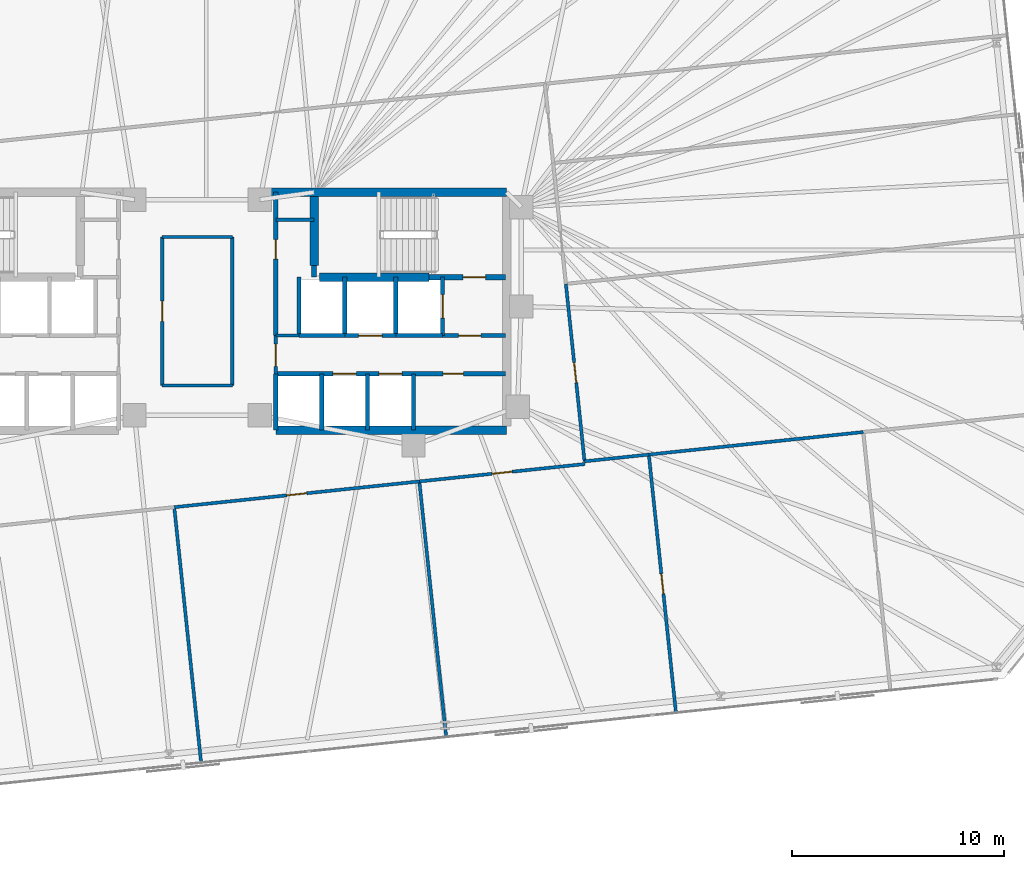
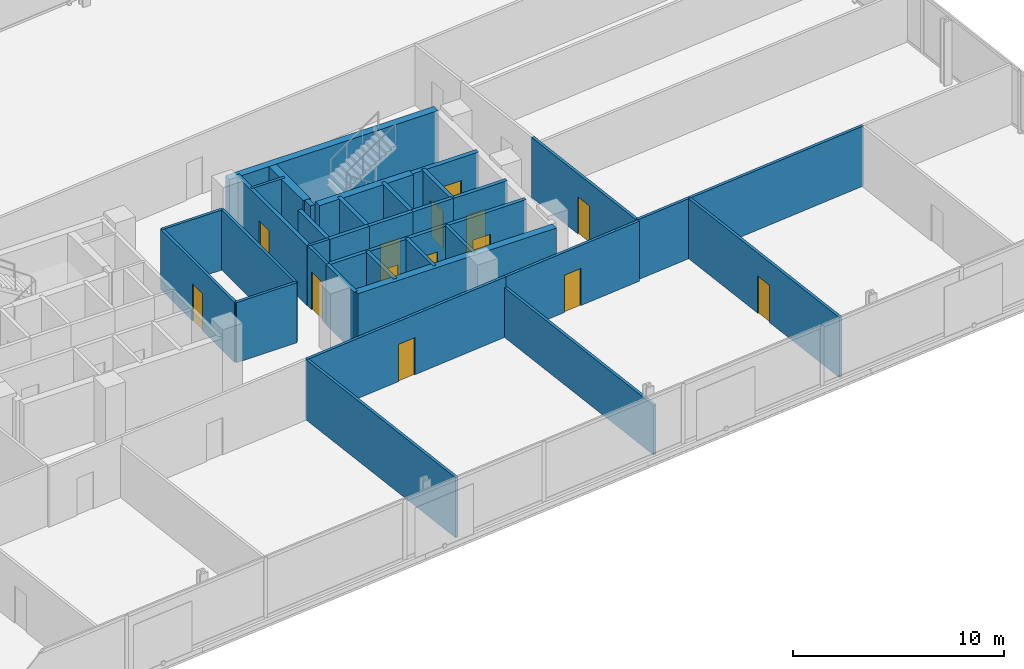
# One storey, part 15 of 18: 35 walls, 14 doors, 14 openings.
"""IFC4 building model written with IfcOpenShell, lengths in metres."""

from ifc_helpers import new_model, si_unit, direction, frame, frame_2d, origin, place, context, subcontext, project, spatial, rectangle, extrude, material, layer, layer_set, type_object, element, fill, save


model = new_model("IFC4")

# Units and contexts
model_context = context("Model", 3, precision=1e-05, world=origin(), true_north=direction((0.0, 1.0)))
body_context = subcontext(model_context, "Body", "Model", "MODEL_VIEW")
ifc_project = project(units=[si_unit("LENGTHUNIT", "METRE"), si_unit("AREAUNIT", "SQUARE_METRE"), si_unit("VOLUMEUNIT", "CUBIC_METRE"), si_unit("PLANEANGLEUNIT", "RADIAN"), si_unit("MASSUNIT", "GRAM", prefix="KILO")], contexts=[model_context])

# Site, building, storey
site_placement = place(None, origin())
site = spatial("IfcSite", under=ifc_project, at=site_placement, CompositionType="ELEMENT")
building_placement = place(site_placement, origin())
building = spatial("IfcBuilding", under=site, at=building_placement, Name="Menara Jurai Vektor", CompositionType="ELEMENT")
storey_placement = place(building_placement, frame((0.0, 0.0, 124.39990234375)))
storey = spatial("IfcBuildingStorey", under=building, at=storey_placement, Name="L31", CompositionType="ELEMENT", Elevation=124.39990234375)

# Wall, opening, door
ifc_material_1 = material(Name="Concrete C40/50", Category="concrete")
ifc_layer_1 = layer(ifc_material_1, 0.25)
ifc_layer_set_1 = layer_set([ifc_layer_1], Name="Concrete C40/50")
wall_type_1 = type_object("IfcWallType", Name="INT-WALL-CORE-250", PredefinedType="STANDARD", material=ifc_layer_set_1)
wall_1_placement = place(storey_placement, frame((10.89990234375, 1.60009765625, 0.0), z_axis=(0.0, 0.0, 1.0), x_axis=(1.0, 0.0, 0.0)))
wall_1 = element("IfcWall", 1, at=wall_1_placement, inside=storey, type_object=wall_type_1, Name="Interior Wall IW-250 L31", PredefinedType="STANDARD", context=body_context, shape_type="SweptSolid", body=[
    extrude(rectangle(XDim=3.60009765625, YDim=0.25, at=frame_2d((1.800048828125, 0.0))), origin(), (0.0, 0.0, 1.0), 3.47509765625),
])
opening_1_placement = place(wall_1_placement, frame((1.6201171875, 0.0, 0.0)))
opening_1 = element("IfcOpeningElement", 2, at=opening_1_placement, cuts=wall_1, Name="Opening D-L31-ST2", PredefinedType="OPENING", context=body_context, shape_type="SweptSolid", body=[
    extrude(rectangle(XDim=1.050048828125, YDim=2.14990234375, at=frame_2d((0.52490234375, 1.074951171875))), frame((0.0, 0.135009765625, 0.0), z_axis=(0.0, -1.0, 0.0), x_axis=(1.0, 0.0, 0.0)), (0.0, 0.0, 1.0), 0.27001953125),
])
ifc_material_2 = material(Name="Fire-Rated Steel Door", Category="steel")
door_type_1 = type_object("IfcDoorType", Name="DR-STAIR-1050", OperationType="NOTDEFINED", PredefinedType="DOOR", material=ifc_material_2)
door_1_placement = place(opening_1_placement, origin())
door_1 = element("IfcDoor", 3, at=door_1_placement, inside=storey, type_object=door_type_1, Name="Exit Stair ST2 Door L31", OperationType="SINGLE_SWING_LEFT", OverallHeight=2.14990234375, OverallWidth=1.050048828125, PredefinedType="DOOR", context=body_context, shape_type="SweptSolid", body=[
    extrude(rectangle(XDim=1.050048828125, YDim=2.14990234375, at=frame_2d((0.52490234375, 1.074951171875))), frame((0.0, 0.02490234375, 0.0), z_axis=(0.0, -1.0, 0.0), x_axis=(1.0, 0.0, 0.0)), (0.0, 0.0, 1.0), 0.050048828125),
])
fill(opening_1, door_1)

# Wall
wall_2_placement = place(storey_placement, frame((5.5, 1.60009765625, 0.0), z_axis=(0.0, 0.0, 1.0), x_axis=(0.0, 1.0, 0.0)))
element("IfcWall", 4, at=wall_2_placement, inside=storey, type_object=wall_type_1, Name="Interior Wall IW-250 L31", PredefinedType="STANDARD", context=body_context, shape_type="SweptSolid", body=[
    extrude(rectangle(XDim=0.5498046875, YDim=0.25, at=frame_2d((0.27490234375, 0.0))), origin(), (0.0, 0.0, 1.0), 3.47509765625),
])

# Wall, opening, door
wall_3_placement = place(storey_placement, frame((11.550048828125, -1.14990234375, 0.0), z_axis=(0.0, 0.0, 1.0), x_axis=(0.0, 1.0, 0.0)))
wall_3 = element("IfcWall", 5, at=wall_3_placement, inside=storey, type_object=wall_type_1, Name="Interior Wall IW-250 L31", PredefinedType="STANDARD", context=body_context, shape_type="SweptSolid", body=[
    extrude(rectangle(XDim=2.75, YDim=0.199951171875, at=frame_2d((1.375, 0.0))), origin(), (0.0, 0.0, 1.0), 3.47509765625),
])
opening_2_placement = place(wall_3_placement, frame((0.824951171875, 0.0, 0.0)))
opening_2 = element("IfcOpeningElement", 6, at=opening_2_placement, cuts=wall_3, Name="Opening LD-L31-FL2", PredefinedType="OPENING", context=body_context, shape_type="SweptSolid", body=[
    extrude(rectangle(XDim=1.10009765625, YDim=2.14990234375, at=frame_2d((0.550048828125, 1.074951171875))), frame((0.0, 0.10986328125, 0.0), z_axis=(0.0, -1.0, 0.0), x_axis=(1.0, 0.0, 0.0)), (0.0, 0.0, 1.0), 0.219970703125),
])
ifc_material_3 = material(Name="Stainless Steel Sliding Lift Landing Door", Category="steel")
door_type_2 = type_object("IfcDoorType", Name="DR-LIFT-FIRE-1100", OperationType="NOTDEFINED", PredefinedType="DOOR", material=ifc_material_3)
door_2_placement = place(opening_2_placement, origin())
door_2 = element("IfcDoor", 7, at=door_2_placement, inside=storey, type_object=door_type_2, Name="Lift Landing Door FL2 L31", OperationType="SLIDING_TO_RIGHT", OverallHeight=2.14990234375, OverallWidth=1.10009765625, PredefinedType="DOOR", context=body_context, shape_type="SweptSolid", body=[
    extrude(rectangle(XDim=1.10009765625, YDim=2.14990234375, at=frame_2d((0.550048828125, 1.074951171875))), frame((0.0, 0.02490234375, 0.0), z_axis=(0.0, -1.0, 0.0), x_axis=(1.0, 0.0, 0.0)), (0.0, 0.0, 1.0), 0.050048828125),
])
fill(opening_2, door_2)

# Wall
wall_4_placement = place(storey_placement, frame((9.35009765625, -1.14990234375, 0.0), z_axis=(0.0, 0.0, 1.0), x_axis=(0.0, 1.0, 0.0)))
element("IfcWall", 8, at=wall_4_placement, inside=storey, type_object=wall_type_1, Name="Interior Wall IW-250 L31", PredefinedType="STANDARD", context=body_context, shape_type="SweptSolid", body=[
    extrude(rectangle(XDim=2.75, YDim=0.199951171875, at=frame_2d((1.375, 0.0))), origin(), (0.0, 0.0, 1.0), 3.47509765625),
])

# Wall, opening, door
wall_5_placement = place(storey_placement, frame((11.550048828125, -1.14990234375, 0.0), z_axis=(0.0, 0.0, 1.0), x_axis=(1.0, 0.0, 0.0)))
wall_5 = element("IfcWall", 9, at=wall_5_placement, inside=storey, type_object=wall_type_1, Name="Interior Wall IW-250 L31", PredefinedType="STANDARD", context=body_context, shape_type="SweptSolid", body=[
    extrude(rectangle(XDim=2.949951171875, YDim=0.199951171875, at=frame_2d((1.47509765625, 0.0))), origin(), (0.0, 0.0, 1.0), 3.47509765625),
])
opening_3_placement = place(wall_5_placement, frame((0.75, 0.0, 0.0)))
opening_3 = element("IfcOpeningElement", 10, at=opening_3_placement, cuts=wall_5, Name="Opening D-L31-FFE", PredefinedType="OPENING", context=body_context, shape_type="SweptSolid", body=[
    extrude(rectangle(XDim=1.050048828125, YDim=2.179931640625, at=frame_2d((0.52490234375, 1.08984375))), frame((0.0, 0.10986328125, 0.0), z_axis=(0.0, -1.0, 0.0), x_axis=(1.0, 0.0, 0.0)), (0.0, 0.0, 1.0), 0.219970703125),
])
ifc_material_4 = material(Name="Fire-Rated Timber Door", Category="wood")
door_type_3 = type_object("IfcDoorType", Name="DR-LOBBY-1050", OperationType="NOTDEFINED", PredefinedType="DOOR", material=ifc_material_4)
door_3_placement = place(opening_3_placement, origin())
door_3 = element("IfcDoor", 11, at=door_3_placement, inside=storey, type_object=door_type_3, Name="Fire Lift Lobby Door E L31", OperationType="SINGLE_SWING_LEFT", OverallHeight=2.179931640625, OverallWidth=1.050048828125, PredefinedType="DOOR", context=body_context, shape_type="SweptSolid", body=[
    extrude(rectangle(XDim=1.050048828125, YDim=2.179931640625, at=frame_2d((0.52490234375, 1.08984375))), frame((0.0, 0.02490234375, 0.0), z_axis=(0.0, -1.0, 0.0), x_axis=(1.0, 0.0, 0.0)), (0.0, 0.0, 1.0), 0.050048828125),
])
fill(opening_3, door_3)

# Wall
wall_6_placement = place(storey_placement, frame((9.35009765625, -1.14990234375, 0.0), z_axis=(0.0, 0.0, 1.0), x_axis=(1.0, 0.0, 0.0)))
element("IfcWall", 12, at=wall_6_placement, inside=storey, type_object=wall_type_1, Name="Interior Wall IW-250 L31", PredefinedType="STANDARD", context=body_context, shape_type="SweptSolid", body=[
    extrude(rectangle(XDim=2.199951171875, YDim=0.199951171875, at=frame_2d((1.10009765625, 0.0))), origin(), (0.0, 0.0, 1.0), 3.47509765625),
])

# Wall, opening, door
ifc_material_5 = material(Name="Gypsum Fireboard Partition", Category="gypsum")
ifc_layer_2 = layer(ifc_material_5, 0.14990234375)
ifc_layer_set_2 = layer_set([ifc_layer_2], Name="Gypsum Fireboard Partition")
wall_type_2 = type_object("IfcWallType", Name="INT-WALL-CORR-150", PredefinedType="PARTITIONING", material=ifc_layer_set_2)
wall_7_placement = place(storey_placement, frame((3.699951171875, -2.949951171875, 0.0), z_axis=(0.0, 0.0, 1.0), x_axis=(0.0, 1.0, 0.0)))
wall_7 = element("IfcWall", 13, at=wall_7_placement, inside=storey, type_object=wall_type_2, Name="Interior Wall IW-150 L31", PredefinedType="PARTITIONING", context=body_context, shape_type="SweptSolid", body=[
    extrude(rectangle(XDim=1.800048828125, YDim=0.14990234375, at=frame_2d((0.89990234375, 0.0))), origin(), (0.0, 0.0, 1.0), 3.47509765625),
])
opening_4_placement = place(wall_7_placement, frame((0.35009765625, 0.0, 0.0)))
opening_4 = element("IfcOpeningElement", 14, at=opening_4_placement, cuts=wall_7, Name="Opening D-L31-LLE", PredefinedType="OPENING", context=body_context, shape_type="SweptSolid", body=[
    extrude(rectangle(XDim=1.050048828125, YDim=2.179931640625, at=frame_2d((0.52490234375, 1.08984375))), frame((0.0, 0.0849609375, 0.0), z_axis=(0.0, -1.0, 0.0), x_axis=(1.0, 0.0, 0.0)), (0.0, 0.0, 1.0), 0.169921875),
])
door_4_placement = place(opening_4_placement, frame((1.050048828125, 0.0, 0.0), z_axis=(0.0, 0.0, 1.0), x_axis=(-1.0, 0.0, 0.0)))
door_4 = element("IfcDoor", 15, at=door_4_placement, inside=storey, type_object=door_type_3, Name="Lift Lobby Corridor Door E L31", OperationType="SINGLE_SWING_RIGHT", OverallHeight=2.179931640625, OverallWidth=1.050048828125, PredefinedType="DOOR", context=body_context, shape_type="SweptSolid", body=[
    extrude(rectangle(XDim=1.050048828125, YDim=2.179931640625, at=frame_2d((0.52490234375, 1.08984375))), frame((0.0, 0.02490234375, 0.0), z_axis=(0.0, -1.0, 0.0), x_axis=(1.0, 0.0, 0.0)), (0.0, 0.0, 1.0), 0.050048828125),
])
fill(opening_4, door_4)

# Walls
wall_8_placement = place(storey_placement, frame((3.699951171875, -1.14990234375, 0.0), z_axis=(0.0, 0.0, 1.0), x_axis=(1.0, 0.0, 0.0)))
element("IfcWall", 16, at=wall_8_placement, inside=storey, type_object=wall_type_2, Name="Interior Wall IW-150 L31", PredefinedType="PARTITIONING", context=body_context, shape_type="SweptSolid", body=[
    extrude(rectangle(XDim=1.090087890625, YDim=0.14990234375, at=frame_2d((0.544921875, 0.0))), origin(), (0.0, 0.0, 1.0), 3.47509765625),
])
wall_9_placement = place(storey_placement, frame((3.699951171875, 4.300048828125, 0.0), z_axis=(0.0, 0.0, 1.0), x_axis=(1.0, 0.0, 0.0)))
element("IfcWall", 17, at=wall_9_placement, inside=storey, type_object=wall_type_2, Name="Interior Wall IW-150 L31", PredefinedType="PARTITIONING", context=body_context, shape_type="SweptSolid", body=[
    extrude(rectangle(XDim=1.800048828125, YDim=0.14990234375, at=frame_2d((0.89990234375, 0.0))), origin(), (0.0, 0.0, 1.0), 3.47509765625),
])

# Wall, opening, door
wall_10_placement = place(storey_placement, frame((-1.649658203125, -3.490478515625, 0.0), z_axis=(0.0, 0.0, 1.0), x_axis=(-0.000104928124, 0.999999994495, 0.0)))
wall_10 = element("IfcWall", 18, at=wall_10_placement, inside=storey, type_object=wall_type_2, Name="Interior Wall IW-150 L31", PredefinedType="PARTITIONING", context=body_context, shape_type="SweptSolid", body=[
    extrude(rectangle(XDim=6.980224609375, YDim=0.14990234375, at=frame_2d((3.490234375, 0.0))), origin(), (0.0, 0.0, 1.0), 3.47509765625),
])
opening_5_placement = place(wall_10_placement, frame((3.01513671875, 0.0, 0.0)))
opening_5 = element("IfcOpeningElement", 19, at=opening_5_placement, cuts=wall_10, Name="Opening D31-06", PredefinedType="OPENING", context=body_context, shape_type="SweptSolid", body=[
    extrude(rectangle(XDim=0.949951171875, YDim=2.14990234375, at=frame_2d((0.47509765625, 1.074951171875))), frame((0.0, 0.0849609375, 0.0), z_axis=(0.0, -1.0, 0.0), x_axis=(1.0, 0.0, 0.0)), (0.0, 0.0, 1.0), 0.169921875),
])
ifc_material_6 = material(Name="Solid Core Timber Fire Door", Category="wood")
door_type_4 = type_object("IfcDoorType", Name="DR-ENTRY-950", OperationType="NOTDEFINED", PredefinedType="DOOR", material=ifc_material_6)
door_5_placement = place(opening_5_placement, origin())
door_5 = element("IfcDoor", 20, at=door_5_placement, inside=storey, type_object=door_type_4, Name="Interior Door D31-06", OperationType="SINGLE_SWING_LEFT", OverallHeight=2.14990234375, OverallWidth=0.949951171875, PredefinedType="DOOR", context=body_context, shape_type="SweptSolid", body=[
    extrude(rectangle(XDim=0.949951171875, YDim=2.14990234375, at=frame_2d((0.47509765625, 1.074951171875))), frame((0.0, 0.02490234375, 0.0), z_axis=(0.0, -1.0, 0.0), x_axis=(1.0, 0.0, 0.0)), (0.0, 0.0, 1.0), 0.050048828125),
])
fill(opening_5, door_5)

# Walls
wall_11_placement = place(storey_placement, frame((-1.649658203125, -3.490478515625, 0.0), z_axis=(0.0, 0.0, 1.0), x_axis=(1.0, 0.0, 0.0)))
element("IfcWall", 21, at=wall_11_placement, inside=storey, type_object=wall_type_2, Name="Interior Wall IW-150 L31", PredefinedType="PARTITIONING", context=body_context, shape_type="SweptSolid", body=[
    extrude(rectangle(XDim=3.300048828125, YDim=0.14990234375, at=frame_2d((1.64990234375, 0.0))), origin(), (0.0, 0.0, 1.0), 3.47509765625),
])
wall_12_placement = place(storey_placement, frame((-1.650390625, 3.48974609375, 0.0), z_axis=(0.0, 0.0, 1.0), x_axis=(1.0, 0.0, 0.0)))
element("IfcWall", 22, at=wall_12_placement, inside=storey, type_object=wall_type_2, Name="Interior Wall IW-150 L31", PredefinedType="PARTITIONING", context=body_context, shape_type="SweptSolid", body=[
    extrude(rectangle(XDim=3.30029296875, YDim=0.14990234375, at=frame_2d((1.650146484375, 0.0))), origin(), (0.0, 0.0, 1.0), 3.47509765625),
])
wall_13_placement = place(storey_placement, frame((1.650390625, -3.490478515625, 0.0), z_axis=(0.0, 0.0, 1.0), x_axis=(-6.9952083e-05, 0.999999997553, 0.0)))
element("IfcWall", 23, at=wall_13_placement, inside=storey, type_object=wall_type_2, Name="Interior Wall IW-150 L31", PredefinedType="PARTITIONING", context=body_context, shape_type="SweptSolid", body=[
    extrude(rectangle(XDim=6.980224609375, YDim=0.14990234375, at=frame_2d((3.490234375, 0.0))), origin(), (0.0, 0.0, 1.0), 3.47509765625),
])

# Wall, opening, door
wall_14_placement = place(storey_placement, frame((-1.0810546875, -9.226318359375, 0.0), z_axis=(0.0, 0.0, 1.0), x_axis=(0.994523198252, 0.104516066418, 0.0)))
wall_14 = element("IfcWall", 24, at=wall_14_placement, inside=storey, type_object=wall_type_2, Name="Interior Wall IW-150 L31", PredefinedType="PARTITIONING", context=body_context, shape_type="SweptSolid", body=[
    extrude(rectangle(XDim=11.60009765625, YDim=0.14990234375, at=frame_2d((5.800048828125, 0.0))), origin(), (0.0, 0.0, 1.0), 3.47509765625),
])
opening_6_placement = place(wall_14_placement, frame((5.324951171875, 0.0, 0.0)))
opening_6 = element("IfcOpeningElement", 25, at=opening_6_placement, cuts=wall_14, Name="Opening D31-11", PredefinedType="OPENING", context=body_context, shape_type="SweptSolid", body=[
    extrude(rectangle(XDim=0.949951171875, YDim=2.14990234375, at=frame_2d((0.47509765625, 1.074951171875))), frame((0.0, 0.0849609375, 0.0), z_axis=(0.0, -1.0, 0.0), x_axis=(1.0, 0.0, 0.0)), (0.0, 0.0, 1.0), 0.169921875),
])
door_6_placement = place(opening_6_placement, origin())
door_6 = element("IfcDoor", 26, at=door_6_placement, inside=storey, type_object=door_type_4, Name="Interior Door D31-11", OperationType="SINGLE_SWING_RIGHT", OverallHeight=2.14990234375, OverallWidth=0.949951171875, PredefinedType="DOOR", context=body_context, shape_type="SweptSolid", body=[
    extrude(rectangle(XDim=0.949951171875, YDim=2.14990234375, at=frame_2d((0.47509765625, 1.074951171875))), frame((0.0, 0.02490234375, 0.0), z_axis=(0.0, -1.0, 0.0), x_axis=(1.0, 0.0, 0.0)), (0.0, 0.0, 1.0), 0.050048828125),
])
fill(opening_6, door_6)

wall_15_placement = place(storey_placement, frame((10.45556640625, -8.013916015625, 0.0), z_axis=(0.0, 0.0, 1.0), x_axis=(0.994522690965, 0.104520893393, 0.0)))
wall_15 = element("IfcWall", 27, at=wall_15_placement, inside=storey, type_object=wall_type_2, Name="Interior Wall IW-150 L31", PredefinedType="PARTITIONING", context=body_context, shape_type="SweptSolid", body=[
    extrude(rectangle(XDim=7.83203125, YDim=0.14990234375, at=frame_2d((3.916015625, 0.0))), origin(), (0.0, 0.0, 1.0), 3.47509765625),
])
opening_7_placement = place(wall_15_placement, frame((3.44091796875, 0.0, 0.0)))
opening_7 = element("IfcOpeningElement", 28, at=opening_7_placement, cuts=wall_15, Name="Opening D31-12", PredefinedType="OPENING", context=body_context, shape_type="SweptSolid", body=[
    extrude(rectangle(XDim=0.949951171875, YDim=2.14990234375, at=frame_2d((0.47509765625, 1.074951171875))), frame((0.0, 0.0849609375, 0.0), z_axis=(0.0, -1.0, 0.0), x_axis=(1.0, 0.0, 0.0)), (0.0, 0.0, 1.0), 0.169921875),
])
door_7_placement = place(opening_7_placement, origin())
door_7 = element("IfcDoor", 29, at=door_7_placement, inside=storey, type_object=door_type_4, Name="Interior Door D31-12", OperationType="SINGLE_SWING_LEFT", OverallHeight=2.14990234375, OverallWidth=0.949951171875, PredefinedType="DOOR", context=body_context, shape_type="SweptSolid", body=[
    extrude(rectangle(XDim=0.949951171875, YDim=2.14990234375, at=frame_2d((0.47509765625, 1.074951171875))), frame((0.0, 0.02490234375, 0.0), z_axis=(0.0, -1.0, 0.0), x_axis=(1.0, 0.0, 0.0)), (0.0, 0.0, 1.0), 0.050048828125),
])
fill(opening_7, door_7)

wall_16_placement = place(storey_placement, frame((18.231201171875, -7.06787109375, 0.0), z_axis=(0.0, 0.0, 1.0), x_axis=(-0.104527419485, 0.994522005074, 0.0)))
wall_16 = element("IfcWall", 30, at=wall_16_placement, inside=storey, type_object=wall_type_2, Name="Interior Wall IW-150 L31", PredefinedType="PARTITIONING", context=body_context, shape_type="SweptSolid", body=[
    extrude(rectangle(XDim=8.39892578125, YDim=0.14990234375, at=frame_2d((4.199462890625, 0.0))), origin(), (0.0, 0.0, 1.0), 3.47509765625),
])
opening_8_placement = place(wall_16_placement, frame((3.724609375, 0.0, 0.0)))
opening_8 = element("IfcOpeningElement", 31, at=opening_8_placement, cuts=wall_16, Name="Opening D31-14", PredefinedType="OPENING", context=body_context, shape_type="SweptSolid", body=[
    extrude(rectangle(XDim=0.949951171875, YDim=2.14990234375, at=frame_2d((0.47509765625, 1.074951171875))), frame((0.0, 0.0849609375, 0.0), z_axis=(0.0, -1.0, 0.0), x_axis=(1.0, 0.0, 0.0)), (0.0, 0.0, 1.0), 0.169921875),
])
door_8_placement = place(opening_8_placement, origin())
door_8 = element("IfcDoor", 32, at=door_8_placement, inside=storey, type_object=door_type_4, Name="Interior Door D31-14", OperationType="SINGLE_SWING_LEFT", OverallHeight=2.14990234375, OverallWidth=0.949951171875, PredefinedType="DOOR", context=body_context, shape_type="SweptSolid", body=[
    extrude(rectangle(XDim=0.949951171875, YDim=2.14990234375, at=frame_2d((0.47509765625, 1.074951171875))), frame((0.0, 0.02490234375, 0.0), z_axis=(0.0, -1.0, 0.0), x_axis=(1.0, 0.0, 0.0)), (0.0, 0.0, 1.0), 0.050048828125),
])
fill(opening_8, door_8)

# Wall
wall_17_placement = place(storey_placement, frame((0.18310546875, -21.253173828125, 0.0), z_axis=(0.0, 0.0, 1.0), x_axis=(-0.104535555083, 0.994521149963, 0.0)))
element("IfcWall", 33, at=wall_17_placement, inside=storey, type_object=wall_type_2, Name="Interior Wall IW-150 L31", PredefinedType="PARTITIONING", context=body_context, shape_type="SweptSolid", body=[
    extrude(rectangle(XDim=12.093017578125, YDim=0.14990234375, at=frame_2d((6.04638671875, 0.0))), origin(), (0.0, 0.0, 1.0), 3.47509765625),
])

# Wall, opening, door
wall_18_placement = place(storey_placement, frame((22.534912109375, -18.90380859375, 0.0), z_axis=(0.0, 0.0, 1.0), x_axis=(-0.104520477826, 0.99452273464, 0.0)))
wall_18 = element("IfcWall", 34, at=wall_18_placement, inside=storey, type_object=wall_type_2, Name="Interior Wall IW-150 L31", PredefinedType="PARTITIONING", context=body_context, shape_type="SweptSolid", body=[
    extrude(rectangle(XDim=12.220947265625, YDim=0.14990234375, at=frame_2d((6.1103515625, 0.0))), origin(), (0.0, 0.0, 1.0), 3.47509765625),
])
opening_9_placement = place(wall_18_placement, frame((5.635498046875, 0.0, 0.0)))
opening_9 = element("IfcOpeningElement", 35, at=opening_9_placement, cuts=wall_18, Name="Opening D31-18", PredefinedType="OPENING", context=body_context, shape_type="SweptSolid", body=[
    extrude(rectangle(XDim=0.949951171875, YDim=2.14990234375, at=frame_2d((0.47509765625, 1.074951171875))), frame((0.0, 0.0849609375, 0.0), z_axis=(0.0, -1.0, 0.0), x_axis=(1.0, 0.0, 0.0)), (0.0, 0.0, 1.0), 0.169921875),
])
door_9_placement = place(opening_9_placement, origin())
door_9 = element("IfcDoor", 36, at=door_9_placement, inside=storey, type_object=door_type_4, Name="Interior Door D31-18", OperationType="SINGLE_SWING_LEFT", OverallHeight=2.14990234375, OverallWidth=0.949951171875, PredefinedType="DOOR", context=body_context, shape_type="SweptSolid", body=[
    extrude(rectangle(XDim=0.949951171875, YDim=2.14990234375, at=frame_2d((0.47509765625, 1.074951171875))), frame((0.0, 0.02490234375, 0.0), z_axis=(0.0, -1.0, 0.0), x_axis=(1.0, 0.0, 0.0)), (0.0, 0.0, 1.0), 0.050048828125),
])
fill(opening_9, door_9)

# Walls
wall_19_placement = place(storey_placement, frame((18.231201171875, -7.06787109375, 0.0), z_axis=(0.0, 0.0, 1.0), x_axis=(0.994520828596, 0.104538612428, 0.0)))
element("IfcWall", 37, at=wall_19_placement, inside=storey, type_object=wall_type_2, Name="Interior Wall IW-150 L31", PredefinedType="PARTITIONING", context=body_context, shape_type="SweptSolid", body=[
    extrude(rectangle(XDim=3.04296875, YDim=0.14990234375, at=frame_2d((1.521484375, 0.0))), origin(), (0.0, 0.0, 1.0), 3.47509765625),
])
wall_20_placement = place(storey_placement, frame((21.257568359375, -6.749755859375, 0.0), z_axis=(0.0, 0.0, 1.0), x_axis=(0.994520994424, 0.104537034822, 0.0)))
element("IfcWall", 38, at=wall_20_placement, inside=storey, type_object=wall_type_2, Name="Interior Wall IW-150 L31", PredefinedType="PARTITIONING", context=body_context, shape_type="SweptSolid", body=[
    extrude(rectangle(XDim=10.14990234375, YDim=0.14990234375, at=frame_2d((5.074951171875, 0.0))), origin(), (0.0, 0.0, 1.0), 3.47509765625),
])
ifc_layer_3 = layer(ifc_material_5, 0.14990234375)
ifc_layer_set_3 = layer_set([ifc_layer_3], Name="Gypsum Fireboard Partition")
wall_type_3 = type_object("IfcWallType", Name="INT-WALL-CORR-150-H2", PredefinedType="PARTITIONING", material=ifc_layer_set_3)
wall_21_placement = place(storey_placement, frame((11.719482421875, -20.04052734375, 0.0), z_axis=(0.0, 0.0, 1.0), x_axis=(-0.104517685722, 0.994523028075, 0.0)))
element("IfcWall", 39, at=wall_21_placement, inside=storey, type_object=wall_type_3, Name="Interior Wall IW-150 L31", PredefinedType="PARTITIONING", context=body_context, shape_type="SweptSolid", body=[
    extrude(rectangle(XDim=12.0927734375, YDim=0.14990234375, at=frame_2d((6.04638671875, 0.0))), origin(), (0.0, 0.0, 1.0), 2.875),
])

# Wall, opening, door
ifc_layer_4 = layer(ifc_material_1, 0.199951171875)
ifc_layer_set_4 = layer_set([ifc_layer_4], Name="Concrete C40/50")
wall_type_4 = type_object("IfcWallType", Name="INT-WALL-SHAFT-200", PredefinedType="STANDARD", material=ifc_layer_set_4)
wall_22_placement = place(storey_placement, frame((3.699951171875, -1.14990234375, 0.0), z_axis=(0.0, 0.0, 1.0), x_axis=(0.0, 1.0, 0.0)))
wall_22 = element("IfcWall", 40, at=wall_22_placement, inside=storey, type_object=wall_type_4, Name="Interior Wall IW-200 L31", PredefinedType="STANDARD", context=body_context, shape_type="SweptSolid", body=[
    extrude(rectangle(XDim=6.75, YDim=0.199951171875, at=frame_2d((3.375, 0.0))), origin(), (0.0, 0.0, 1.0), 3.47509765625),
])
opening_10_placement = place(wall_22_placement, frame((3.60009765625, 0.0, 0.0)))
opening_10 = element("IfcOpeningElement", 41, at=opening_10_placement, cuts=wall_22, Name="Opening D31-05", PredefinedType="OPENING", context=body_context, shape_type="SweptSolid", body=[
    extrude(rectangle(XDim=0.919921875, YDim=2.14990234375, at=frame_2d((0.4599609375, 1.074951171875))), frame((0.0, 0.10986328125, 0.0), z_axis=(0.0, -1.0, 0.0), x_axis=(1.0, 0.0, 0.0)), (0.0, 0.0, 1.0), 0.219970703125),
])
door_10_placement = place(opening_10_placement, origin())
door_10 = element("IfcDoor", 42, at=door_10_placement, inside=storey, type_object=door_type_4, Name="Interior Door D31-05", OperationType="SINGLE_SWING_RIGHT", OverallHeight=2.14990234375, OverallWidth=0.919921875, PredefinedType="DOOR", context=body_context, shape_type="SweptSolid", body=[
    extrude(rectangle(XDim=0.919921875, YDim=2.14990234375, at=frame_2d((0.4599609375, 1.074951171875))), frame((0.0, 0.02490234375, 0.0), z_axis=(0.0, -1.0, 0.0), x_axis=(1.0, 0.0, 0.0)), (0.0, 0.0, 1.0), 0.050048828125),
])
fill(opening_10, door_10)

# Walls
wall_23_placement = place(storey_placement, frame((3.699951171875, -5.60009765625, 0.0), z_axis=(0.0, 0.0, 1.0), x_axis=(0.0, 1.0, 0.0)))
element("IfcWall", 43, at=wall_23_placement, inside=storey, type_object=wall_type_4, Name="Interior Wall IW-200 L31", PredefinedType="STANDARD", context=body_context, shape_type="SweptSolid", body=[
    extrude(rectangle(XDim=2.650146484375, YDim=0.199951171875, at=frame_2d((1.3251953125, 0.0))), origin(), (0.0, 0.0, 1.0), 3.47509765625),
])
wall_24_placement = place(storey_placement, frame((6.949951171875, -1.14990234375, 0.0), z_axis=(0.0, 0.0, 1.0), x_axis=(0.0, 1.0, 0.0)))
element("IfcWall", 44, at=wall_24_placement, inside=storey, type_object=wall_type_4, Name="Interior Wall IW-200 L31", PredefinedType="STANDARD", context=body_context, shape_type="SweptSolid", body=[
    extrude(rectangle(XDim=2.75, YDim=0.199951171875, at=frame_2d((1.375, 0.0))), origin(), (0.0, 0.0, 1.0), 3.47509765625),
])

# Wall, opening, door
wall_25_placement = place(storey_placement, frame((6.949951171875, -1.14990234375, 0.0), z_axis=(0.0, 0.0, 1.0), x_axis=(1.0, 0.0, 0.0)))
wall_25 = element("IfcWall", 45, at=wall_25_placement, inside=storey, type_object=wall_type_4, Name="Interior Wall IW-200 L31", PredefinedType="STANDARD", context=body_context, shape_type="SweptSolid", body=[
    extrude(rectangle(XDim=2.400146484375, YDim=0.199951171875, at=frame_2d((1.2001953125, 0.0))), origin(), (0.0, 0.0, 1.0), 3.47509765625),
])
opening_11_placement = place(wall_25_placement, frame((0.64990234375, 0.0, 0.0)))
opening_11 = element("IfcOpeningElement", 46, at=opening_11_placement, cuts=wall_25, Name="Opening LD-L31-SVL2", PredefinedType="OPENING", context=body_context, shape_type="SweptSolid", body=[
    extrude(rectangle(XDim=1.10009765625, YDim=2.14990234375, at=frame_2d((0.550048828125, 1.074951171875))), frame((0.0, 0.10986328125, 0.0), z_axis=(0.0, -1.0, 0.0), x_axis=(1.0, 0.0, 0.0)), (0.0, 0.0, 1.0), 0.219970703125),
])
ifc_material_7 = material(Name="Anodised Stainless Sliding Lift Landing Door", Category="steel")
door_type_5 = type_object("IfcDoorType", Name="DR-LIFT-PASS-1100", OperationType="NOTDEFINED", PredefinedType="DOOR", material=ifc_material_7)
door_11_placement = place(opening_11_placement, origin())
door_11 = element("IfcDoor", 47, at=door_11_placement, inside=storey, type_object=door_type_5, Name="Lift Landing Door SVL2 L31", OperationType="SLIDING_TO_RIGHT", OverallHeight=2.14990234375, OverallWidth=1.10009765625, PredefinedType="DOOR", context=body_context, shape_type="SweptSolid", body=[
    extrude(rectangle(XDim=1.10009765625, YDim=2.14990234375, at=frame_2d((0.550048828125, 1.074951171875))), frame((0.0, 0.02490234375, 0.0), z_axis=(0.0, -1.0, 0.0), x_axis=(1.0, 0.0, 0.0)), (0.0, 0.0, 1.0), 0.050048828125),
])
fill(opening_11, door_11)

# Walls
wall_26_placement = place(storey_placement, frame((4.7900390625, -1.14990234375, 0.0), z_axis=(0.0, 0.0, 1.0), x_axis=(0.0, 1.0, 0.0)))
element("IfcWall", 48, at=wall_26_placement, inside=storey, type_object=wall_type_4, Name="Interior Wall IW-200 L31", PredefinedType="STANDARD", context=body_context, shape_type="SweptSolid", body=[
    extrude(rectangle(XDim=2.75, YDim=0.199951171875, at=frame_2d((1.375, 0.0))), origin(), (0.0, 0.0, 1.0), 3.47509765625),
])
wall_27_placement = place(storey_placement, frame((4.7900390625, -1.14990234375, 0.0), z_axis=(0.0, 0.0, 1.0), x_axis=(1.0, 0.0, 0.0)))
element("IfcWall", 49, at=wall_27_placement, inside=storey, type_object=wall_type_4, Name="Interior Wall IW-200 L31", PredefinedType="STANDARD", context=body_context, shape_type="SweptSolid", body=[
    extrude(rectangle(XDim=2.159912109375, YDim=0.199951171875, at=frame_2d((1.080078125, 0.0))), origin(), (0.0, 0.0, 1.0), 3.47509765625),
])

# Wall, openings, doors
wall_28_placement = place(storey_placement, frame((3.699951171875, -2.949951171875, 0.0), z_axis=(0.0, 0.0, 1.0), x_axis=(1.0, 0.0, 0.0)))
wall_28 = element("IfcWall", 50, at=wall_28_placement, inside=storey, type_object=wall_type_4, Name="Interior Wall IW-200 L31", PredefinedType="STANDARD", context=body_context, shape_type="SweptSolid", body=[
    extrude(rectangle(XDim=10.800048828125, YDim=0.199951171875, at=frame_2d((5.39990234375, 0.0))), origin(), (0.0, 0.0, 1.0), 3.47509765625),
])
opening_12_placement = place(wall_28_placement, frame((2.68994140625, 0.0, 0.0)))
opening_12 = element("IfcOpeningElement", 51, at=opening_12_placement, cuts=wall_28, Name="Opening LD-L31-PM3", PredefinedType="OPENING", context=body_context, shape_type="SweptSolid", body=[
    extrude(rectangle(XDim=1.10009765625, YDim=2.14990234375, at=frame_2d((0.550048828125, 1.074951171875))), frame((0.0, 0.10986328125, 0.0), z_axis=(0.0, -1.0, 0.0), x_axis=(1.0, 0.0, 0.0)), (0.0, 0.0, 1.0), 0.219970703125),
])
opening_13_placement = place(wall_28_placement, frame((4.85009765625, 0.0, 0.0)))
opening_13 = element("IfcOpeningElement", 52, at=opening_13_placement, cuts=wall_28, Name="Opening LD-L31-PM4", PredefinedType="OPENING", context=body_context, shape_type="SweptSolid", body=[
    extrude(rectangle(XDim=1.10009765625, YDim=2.14990234375, at=frame_2d((0.550048828125, 1.074951171875))), frame((0.0, 0.10986328125, 0.0), z_axis=(0.0, -1.0, 0.0), x_axis=(1.0, 0.0, 0.0)), (0.0, 0.0, 1.0), 0.219970703125),
])
opening_14_placement = place(wall_28_placement, frame((7.8798828125, 0.0, 0.0)))
opening_14 = element("IfcOpeningElement", 53, at=opening_14_placement, cuts=wall_28, Name="Opening D31-04", PredefinedType="OPENING", context=body_context, shape_type="SweptSolid", body=[
    extrude(rectangle(XDim=0.949951171875, YDim=2.14990234375, at=frame_2d((0.47509765625, 1.074951171875))), frame((0.0, 0.10986328125, 0.0), z_axis=(0.0, -1.0, 0.0), x_axis=(1.0, 0.0, 0.0)), (0.0, 0.0, 1.0), 0.219970703125),
])
door_12_placement = place(opening_14_placement, origin())
door_12 = element("IfcDoor", 54, at=door_12_placement, inside=storey, type_object=door_type_4, Name="Interior Door D31-04", OperationType="SINGLE_SWING_LEFT", OverallHeight=2.14990234375, OverallWidth=0.949951171875, PredefinedType="DOOR", context=body_context, shape_type="SweptSolid", body=[
    extrude(rectangle(XDim=0.949951171875, YDim=2.14990234375, at=frame_2d((0.47509765625, 1.074951171875))), frame((0.0, 0.02490234375, 0.0), z_axis=(0.0, -1.0, 0.0), x_axis=(1.0, 0.0, 0.0)), (0.0, 0.0, 1.0), 0.050048828125),
])
fill(opening_14, door_12)
door_13_placement = place(opening_12_placement, origin())
door_13 = element("IfcDoor", 55, at=door_13_placement, inside=storey, type_object=door_type_5, Name="Lift Landing Door PM3 L31", OperationType="SLIDING_TO_LEFT", OverallHeight=2.14990234375, OverallWidth=1.10009765625, PredefinedType="DOOR", context=body_context, shape_type="SweptSolid", body=[
    extrude(rectangle(XDim=1.10009765625, YDim=2.14990234375, at=frame_2d((0.550048828125, 1.074951171875))), frame((0.0, 0.02490234375, 0.0), z_axis=(0.0, -1.0, 0.0), x_axis=(1.0, 0.0, 0.0)), (0.0, 0.0, 1.0), 0.050048828125),
])
fill(opening_12, door_13)
door_14_placement = place(opening_13_placement, origin())
door_14 = element("IfcDoor", 56, at=door_14_placement, inside=storey, type_object=door_type_5, Name="Lift Landing Door PM4 L31", OperationType="SLIDING_TO_RIGHT", OverallHeight=2.14990234375, OverallWidth=1.10009765625, PredefinedType="DOOR", context=body_context, shape_type="SweptSolid", body=[
    extrude(rectangle(XDim=1.10009765625, YDim=2.14990234375, at=frame_2d((0.550048828125, 1.074951171875))), frame((0.0, 0.02490234375, 0.0), z_axis=(0.0, -1.0, 0.0), x_axis=(1.0, 0.0, 0.0)), (0.0, 0.0, 1.0), 0.050048828125),
])
fill(opening_13, door_14)

# Walls
wall_29_placement = place(storey_placement, frame((5.860107421875, -5.60009765625, 0.0), z_axis=(0.0, 0.0, 1.0), x_axis=(0.0, 1.0, 0.0)))
element("IfcWall", 57, at=wall_29_placement, inside=storey, type_object=wall_type_4, Name="Interior Wall IW-200 L31", PredefinedType="STANDARD", context=body_context, shape_type="SweptSolid", body=[
    extrude(rectangle(XDim=2.650146484375, YDim=0.199951171875, at=frame_2d((1.3251953125, 0.0))), origin(), (0.0, 0.0, 1.0), 3.47509765625),
])
for number, where, z_axis, x_axis, name in (
    (58, (10.179931640625, -5.60009765625, 0.0), (0.0, 0.0, 1.0), (0.0, 1.0, 0.0), "Interior Wall IW-200 L31"),
    (59, (8.02001953125, -5.60009765625, 0.0), (0.0, 0.0, 1.0), (0.0, 1.0, 0.0), "Interior Wall IW-200 L31"),
):
    element("IfcWall", number, at=place(storey_placement, frame(where, z_axis=z_axis, x_axis=x_axis)), inside=storey, type_object=wall_type_4, Name=name, PredefinedType="STANDARD", context=body_context, shape_type="SweptSolid", body=[
        extrude(rectangle(XDim=2.650146484375, YDim=0.179931640625, at=frame_2d((1.3251953125, 0.0))), origin(), (0.0, 0.0, 1.0), 3.47509765625),
    ])
ifc_material_8 = material(Name="Concrete C50/60", Category="concrete")
ifc_layer_5 = layer(ifc_material_8, 0.39990234375)
ifc_layer_set_5 = layer_set([ifc_layer_5], Name="Concrete C50/60")
wall_type_5 = type_object("IfcWallType", Name="STR-WALL-CORE400", PredefinedType="SHEAR", material=ifc_layer_set_5)
wall_30_placement = place(storey_placement, frame((3.14990234375, 5.60009765625, 0.0), z_axis=(0.0, 0.0, 1.0), x_axis=(1.0, 0.0, 0.0)))
element("IfcWall", 60, at=wall_30_placement, inside=storey, type_object=wall_type_5, Name="Core Shear Wall CW-E-N L31", PredefinedType="SHEAR", context=body_context, shape_type="SweptSolid", body=[
    extrude(rectangle(XDim=11.41015625, YDim=0.39990234375, at=frame_2d((5.705078125, 0.0))), origin(), (0.0, 0.0, 1.0), 3.47509765625),
])
wall_31_placement = place(storey_placement, frame((3.699951171875, -5.60009765625, 0.0), z_axis=(0.0, 0.0, 1.0), x_axis=(1.0, 0.0, 0.0)))
element("IfcWall", 61, at=wall_31_placement, inside=storey, type_object=wall_type_5, Name="Core Shear Wall CW-E-S L31", PredefinedType="SHEAR", context=body_context, shape_type="SweptSolid", body=[
    extrude(rectangle(XDim=10.860107421875, YDim=0.39990234375, at=frame_2d((5.43017578125, 0.0))), origin(), (0.0, 0.0, 1.0), 3.47509765625),
])
wall_32_placement = place(storey_placement, frame((5.5, 2.14990234375, 0.0), z_axis=(0.0, 0.0, 1.0), x_axis=(0.0, 1.0, 0.0)))
element("IfcWall", 62, at=wall_32_placement, inside=storey, type_object=wall_type_5, Name="Core Shear Wall CW-E-ST L31", PredefinedType="SHEAR", context=body_context, shape_type="SweptSolid", body=[
    extrude(rectangle(XDim=3.25, YDim=0.39990234375, at=frame_2d((1.625, 0.0))), origin(), (0.0, 0.0, 1.0), 3.47509765625),
])
wall_33_placement = place(storey_placement, frame((5.75, 1.60009765625, 0.0), z_axis=(0.0, 0.0, 1.0), x_axis=(1.0, 0.0, 0.0)))
element("IfcWall", 63, at=wall_33_placement, inside=storey, type_object=wall_type_5, Name="Core Shear Wall CW-E-STS L31", PredefinedType="SHEAR", context=body_context, shape_type="SweptSolid", body=[
    extrude(rectangle(XDim=5.14990234375, YDim=0.39990234375, at=frame_2d((2.574951171875, 0.0))), origin(), (0.0, 0.0, 1.0), 3.47509765625),
])

save(model, "model.ifc")
